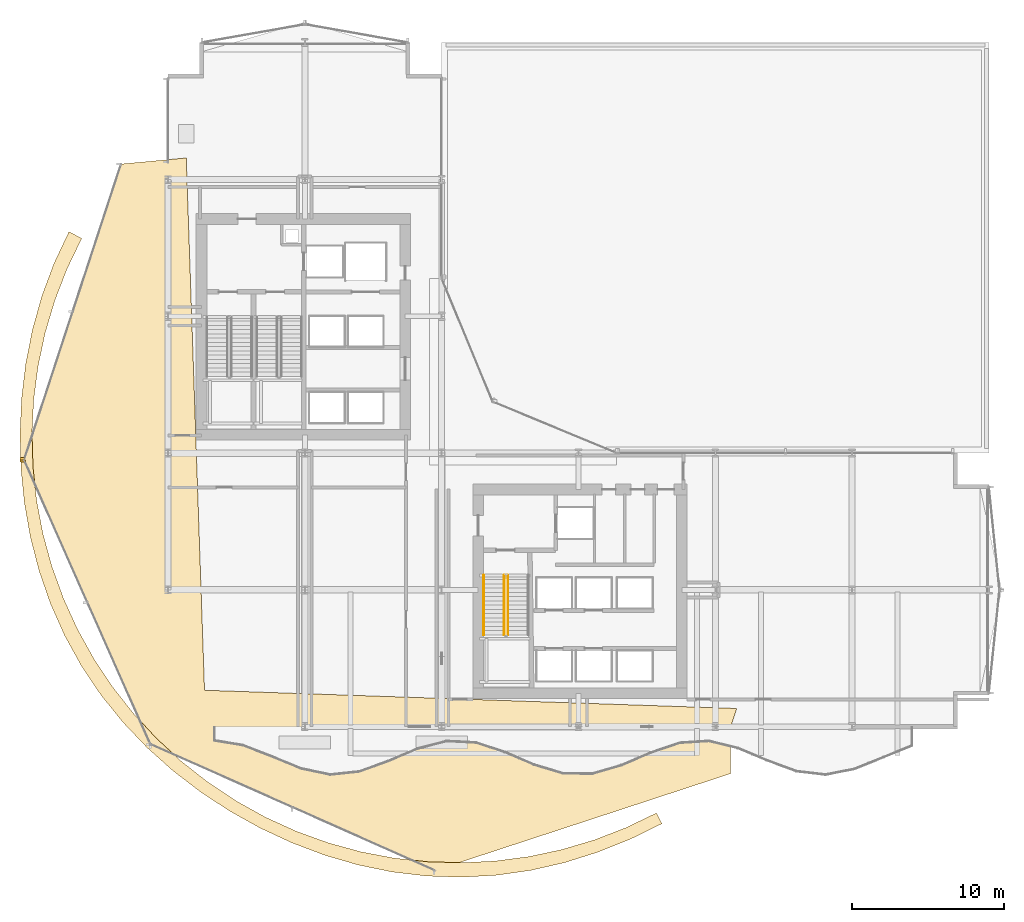
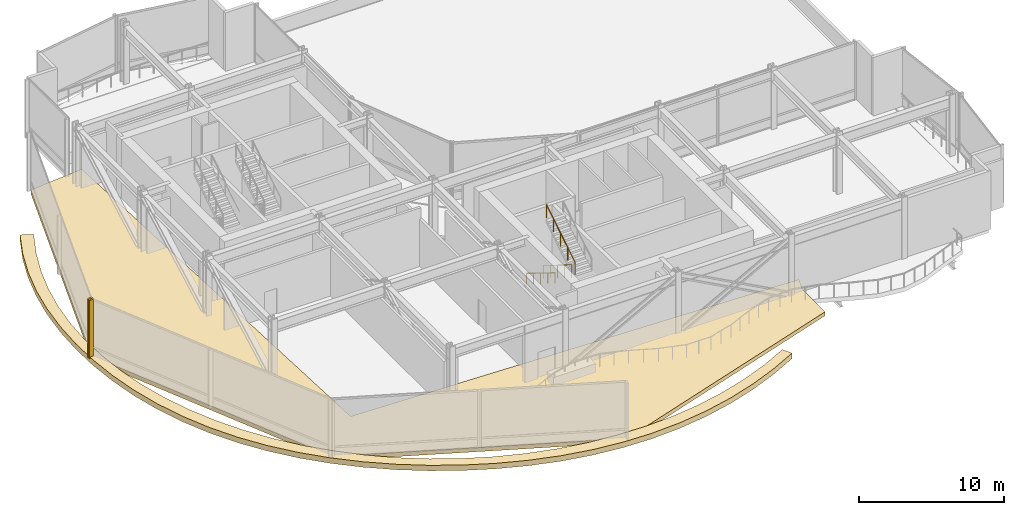
# One storey, part 32 of 37: 3 railings, 2 coverings, 2 shading devices.
"""IFC4 building model written with IfcOpenShell, lengths in metres."""

from ifc_helpers import new_model, si_unit, direction, frame, origin, origin_2d, place, context, subcontext, project, spatial, polyline, rectangle, circle, outline, extrude, material, layer, layer_set, type_object, element, save


model = new_model("IFC4")

# Units and contexts
model_context = context("Model", 3, precision=1e-05, world=origin(), true_north=direction((0.0, 1.0)))
body_context = subcontext(model_context, "Body", "Model", "MODEL_VIEW")
ifc_project = project(units=[si_unit("LENGTHUNIT", "METRE"), si_unit("AREAUNIT", "SQUARE_METRE"), si_unit("VOLUMEUNIT", "CUBIC_METRE"), si_unit("PLANEANGLEUNIT", "RADIAN"), si_unit("MASSUNIT", "GRAM", prefix="KILO")], contexts=[model_context])

# Site, building, storey
site_placement = place(None, origin())
site = spatial("IfcSite", under=ifc_project, at=site_placement, CompositionType="ELEMENT")
building_placement = place(site_placement, origin())
building = spatial("IfcBuilding", under=site, at=building_placement, Name="Solvaryn Broadcast Tower", CompositionType="ELEMENT")
storey_placement = place(building_placement, frame((0.0, 0.0, 30.800048828125)))
storey = spatial("IfcBuildingStorey", under=building, at=storey_placement, Name="L06", CompositionType="ELEMENT", Elevation=30.800048828125)

# Coverings
ifc_material_1 = material(Name="Sculpted Architectural Terracotta Wave Fascia", Category="masonry")
ifc_layer = layer(ifc_material_1, 0.340087890625)
ifc_layer_set = layer_set([ifc_layer], Name="CV-WAVE-TRAY")
covering_type = type_object("IfcCoveringType", Name="CV-WAVE-TRAY", PredefinedType="CLADDING", material=ifc_layer_set)
covering_1_placement = place(storey_placement, frame((0.0, 0.0, -0.300048828125)))
element("IfcCovering", 1, at=covering_1_placement, inside=storey, type_object=covering_type, Name="L06 Stepped Cylindrical Drum Floor Apron", PredefinedType="CLADDING", context=body_context, shape_type="SweptSolid", body=[
    extrude(outline(polyline([(10.199951171875, 46.416015625), (5.916015625, 46.01611328125), (-0.464111328125, 26.56005859375), (7.846923828125, 7.846923828125), (26.56005859375, -0.464111328125), (46.01611328125, 5.916015625), (46.01611328125, 9.0), (46.416015625, 10.199951171875), (11.39990234375, 11.39990234375), (10.199951171875, 46.416015625)])), origin(), (0.0, 0.0, 1.0), 0.330078125),
])
covering_2_placement = place(storey_placement, frame((0.0, 0.0, -0.320068359375)))
element("IfcCovering", 2, at=covering_2_placement, inside=storey, type_object=covering_type, Name="L06 Stepped Cylindrical Drum Wave Ring Terrace", PredefinedType="CLADDING", context=body_context, shape_type="SweptSolid", body=[
    extrude(outline(polyline([(2.48388671875, 41.56689453125), (1.5009765625, 39.488037109375), (0.699951171875, 37.333984375), (0.080078125, 35.123046875), (-0.363037109375, 32.8740234375), (-0.634033203125, 30.60009765625), (-0.738037109375, 28.31396484375), (-0.678955078125, 26.02587890625), (-0.4541015625, 23.748046875), (-0.05908203125, 21.489990234375), (0.511962890625, 19.26708984375), (1.262939453125, 17.095947265625), (2.197021484375, 14.993896484375), (3.31005859375, 12.98095703125), (4.593994140625, 11.072998046875), (6.037109375, 9.282958984375), (7.62109375, 7.62109375), (9.3310546875, 6.093017578125), (11.14892578125, 4.699951171875), (13.06298828125, 3.445068359375), (15.06201171875, 2.33203125), (17.136962890625, 1.364990234375), (19.280029296875, 0.553955078125), (21.48291015625, -0.090087890625), (23.73291015625, -0.552978515625), (26.01611328125, -0.824951171875), (28.31494140625, -0.89794921875), (30.612060546875, -0.77001953125), (32.887939453125, -0.445068359375), (35.1259765625, 0.069091796875), (37.31298828125, 0.760009765625), (39.43896484375, 1.614990234375), (41.492919921875, 2.623046875), (41.1220703125, 3.322021484375), (39.116943359375, 2.35595703125), (37.0419921875, 1.552978515625), (34.909912109375, 0.91796875), (32.73291015625, 0.4541015625), (30.527099609375, 0.1640625), (28.304931640625, 0.052001953125), (26.0810546875, 0.115966796875), (23.868896484375, 0.35693359375), (21.68310546875, 0.77294921875), (19.537109375, 1.362060546875), (17.445068359375, 2.1201171875), (15.419921875, 3.041015625), (13.47412109375, 4.12109375), (11.62109375, 5.35205078125), (9.87109375, 6.72705078125), (8.236083984375, 8.236083984375), (6.72705078125, 9.87109375), (5.35205078125, 11.62109375), (4.12109375, 13.47412109375), (3.041015625, 15.419921875), (2.1201171875, 17.445068359375), (1.362060546875, 19.537109375), (0.77294921875, 21.68310546875), (0.35693359375, 23.868896484375), (0.115966796875, 26.0810546875), (0.052001953125, 28.304931640625), (0.1640625, 30.527099609375), (0.4541015625, 32.73291015625), (0.91796875, 34.909912109375), (1.552978515625, 37.0419921875), (2.35595703125, 39.116943359375), (3.322021484375, 41.1220703125), (2.48388671875, 41.56689453125)])), origin(), (0.0, 0.0, 1.0), 0.4599609375),
])

# Railings
ifc_material_2 = material(Name="Painted Steel Stair Well Guard", Category="steel")
railing_type_1 = type_object("IfcRailingType", Name="RL-STAIR-GUARD", PredefinedType="BALUSTRADE", material=ifc_material_2)
railing_1_placement = place(storey_placement, frame((31.110107421875, 18.9599609375, 0.17333984375)))
element("IfcRailing", 3, at=railing_1_placement, inside=storey, type_object=railing_type_1, Name="L06 ST3 stair guard 1", PredefinedType="BALUSTRADE", context=body_context, shape_type="SweptSolid", body=[
    extrude(circle(Radius=0.02392578125, at=origin_2d()), frame((0.0, 0.0, 1.076171875), z_axis=(0.0, -0.850275303828, 0.526338206574), x_axis=(1.0, 0.0, 0.0)), (0.0, 0.0, 1.0), 4.610107421875),
    extrude(circle(Radius=0.02099609375, at=origin_2d()), origin(), (0.0, 0.0, 1.0), 1.052001953125),
    extrude(circle(Radius=0.02099609375, at=origin_2d()), frame((0.0, -0.97998046875, 0.606689453125)), (0.0, 0.0, 1.0), 1.052001953125),
    extrude(circle(Radius=0.02099609375, at=origin_2d()), frame((0.0, -1.9599609375, 1.21337890625)), (0.0, 0.0, 1.0), 1.052001953125),
    extrude(circle(Radius=0.02099609375, at=origin_2d()), frame((0.0, -2.93994140625, 1.81982421875)), (0.0, 0.0, 1.0), 1.052001953125),
    extrude(circle(Radius=0.02099609375, at=origin_2d()), frame((0.0, -3.919921875, 2.426513671875)), (0.0, 0.0, 1.0), 1.052001953125),
])
railing_2_placement = place(storey_placement, frame((31.360107421875, 15.0400390625, 2.773193359375)))
element("IfcRailing", 4, at=railing_2_placement, inside=storey, type_object=railing_type_1, Name="L06 ST3 stair guard 3", PredefinedType="BALUSTRADE", context=body_context, shape_type="SweptSolid", body=[
    extrude(circle(Radius=0.02392578125, at=origin_2d()), frame((0.0, 0.0, 1.076171875), z_axis=(0.0, 0.850251603719, 0.526376491091), x_axis=(-1.0, 0.0, 0.0)), (0.0, 0.0, 1.0), 4.6103515625),
    extrude(circle(Radius=0.02099609375, at=origin_2d()), origin(), (0.0, 0.0, 1.0), 1.052001953125),
    extrude(circle(Radius=0.02099609375, at=origin_2d()), frame((0.0, 0.97998046875, 0.606689453125)), (0.0, 0.0, 1.0), 1.052001953125),
    extrude(circle(Radius=0.02099609375, at=origin_2d()), frame((0.0, 1.9599609375, 1.21337890625)), (0.0, 0.0, 1.0), 1.052001953125),
    extrude(circle(Radius=0.02099609375, at=origin_2d()), frame((0.0, 2.93994140625, 1.820068359375)), (0.0, 0.0, 1.0), 1.052001953125),
    extrude(circle(Radius=0.02099609375, at=origin_2d()), frame((0.0, 3.919921875, 2.4267578125)), (0.0, 0.0, 1.0), 1.052001953125),
])
ifc_material_3 = material(Name="Brushed Stainless Steel Tubular Handrail", Category="steel")
railing_type_2 = type_object("IfcRailingType", Name="RL-STAIR-HANDRAIL", PredefinedType="HANDRAIL", material=ifc_material_3)
railing_3_placement = place(storey_placement, frame((29.77001953125, 18.9599609375, 0.17333984375)))
element("IfcRailing", 5, at=railing_3_placement, inside=storey, type_object=railing_type_2, Name="L06 ST3 stair handrail 1", PredefinedType="HANDRAIL", context=body_context, shape_type="SweptSolid", body=[
    extrude(circle(Radius=0.02392578125, at=origin_2d()), frame((0.0, 0.0, 0.8759765625), z_axis=(0.0, -0.850275303828, 0.526338206574), x_axis=(1.0, 0.0, 0.0)), (0.0, 0.0, 1.0), 4.610107421875),
    extrude(circle(Radius=0.02099609375, at=origin_2d()), origin(), (0.0, 0.0, 1.0), 0.851806640625),
    extrude(circle(Radius=0.02099609375, at=origin_2d()), frame((0.0, -0.97998046875, 0.606689453125)), (0.0, 0.0, 1.0), 0.851806640625),
    extrude(circle(Radius=0.02099609375, at=origin_2d()), frame((0.0, -1.9599609375, 1.21337890625)), (0.0, 0.0, 1.0), 0.851806640625),
    extrude(circle(Radius=0.02099609375, at=origin_2d()), frame((0.0, -2.93994140625, 1.81982421875)), (0.0, 0.0, 1.0), 0.851806640625),
    extrude(circle(Radius=0.02099609375, at=origin_2d()), frame((0.0, -3.919921875, 2.426513671875)), (0.0, 0.0, 1.0), 0.851806640625),
])

# Shading devices
ifc_material_4 = material(Name="Anodised Aluminium Acoustic Louvre", Category="aluminium")
shading_device_type = type_object("IfcShadingDeviceType", Name="LV-01 Plant Intake Louvre", PredefinedType="USERDEFINED", material=ifc_material_4)
for number, where, z_axis, x_axis, name in (
    (6, (-0.568603515625, 26.6259765625, 0.0), (0.0, 0.0, 1.0), (1.0, 0.0, 0.0), "L06 Plant Acoustic Louvre LV-CW-L06-DR1/M02"),
    (7, (-0.561279296875, 26.484130859375, 0.0), (0.0, 0.0, 1.0), (1.0, 0.0, 0.0), "L06 Plant Acoustic Louvre LV-CW-L06-DR2/M00"),
):
    element("IfcShadingDevice", number, at=place(storey_placement, frame(where, z_axis=z_axis, x_axis=x_axis)), inside=storey, type_object=shading_device_type, Name=name, ObjectType="LOUVRE", PredefinedType="USERDEFINED", context=body_context, shape_type="SweptSolid", body=[
        extrude(rectangle(XDim=0.340087890625, YDim=0.139892578125, at=origin_2d()), origin(), (0.0, 0.0, 1.0), 4.919921875),
    ])

save(model, "model.ifc")
